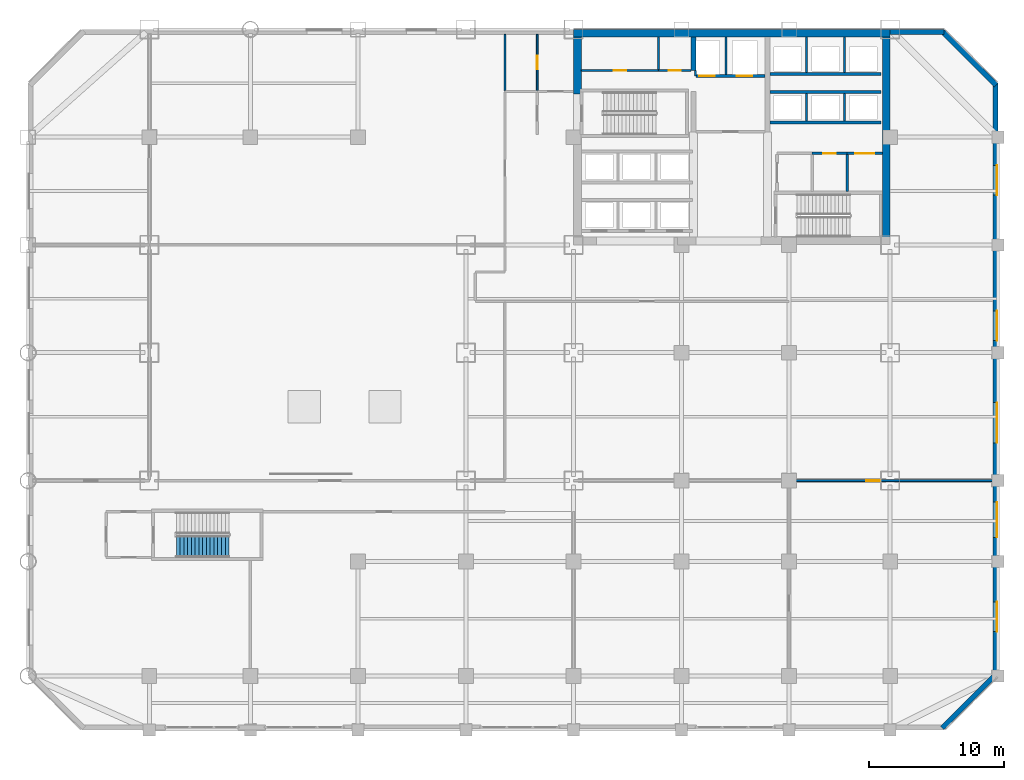
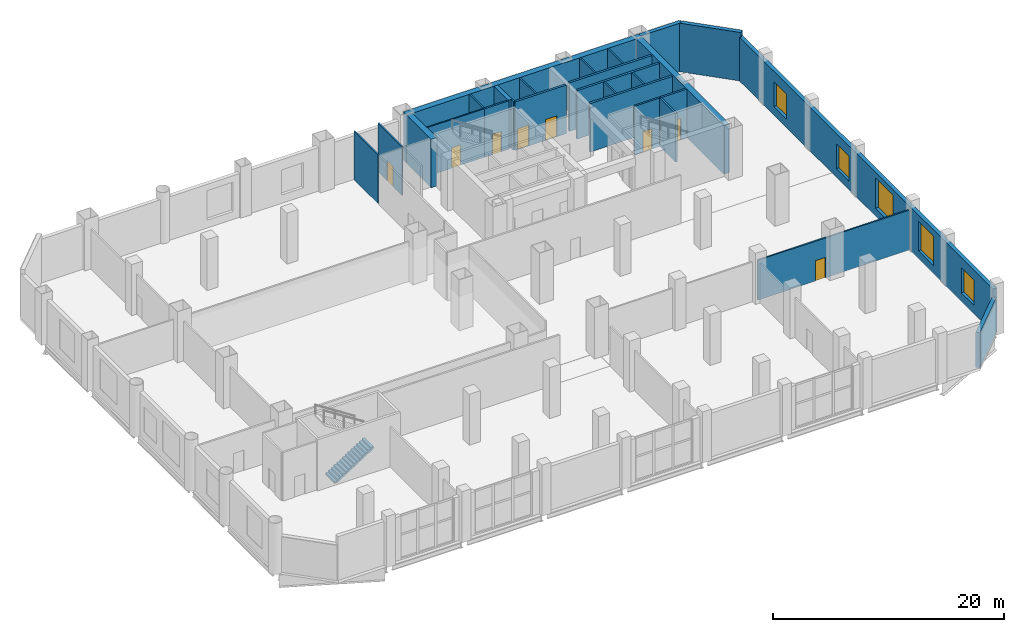
# One storey, part 13 of 18: 27 walls, 8 doors, 5 windows, 1 stair flight, 13 openings, 1 element without a shape of its own.
"""IFC4 building model written with IfcOpenShell, lengths in metres."""

from ifc_helpers import new_model, si_unit, direction, frame, frame_2d, origin, place, context, subcontext, project, spatial, polyline, rectangle, outline, extrude, material, layer, layer_set, type_object, element, fill, aggregate, save


model = new_model("IFC4")

# Units and contexts
model_context = context("Model", 3, precision=1e-05, world=origin(), true_north=direction((0.0, 1.0)))
body_context = subcontext(model_context, "Body", "Model", "MODEL_VIEW")
ifc_project = project(units=[si_unit("LENGTHUNIT", "METRE"), si_unit("AREAUNIT", "SQUARE_METRE"), si_unit("VOLUMEUNIT", "CUBIC_METRE"), si_unit("PLANEANGLEUNIT", "RADIAN"), si_unit("MASSUNIT", "GRAM", prefix="KILO")], contexts=[model_context])

# Site, building, storey
site_placement = place(None, origin())
site = spatial("IfcSite", under=ifc_project, at=site_placement, CompositionType="ELEMENT")
building_placement = place(site_placement, origin())
building = spatial("IfcBuilding", under=site, at=building_placement, Name="Qianrong Seaharbour Tower", CompositionType="ELEMENT")
storey_placement = place(building_placement, frame((0.0, 0.0, 6.0)))
storey = spatial("IfcBuildingStorey", under=building, at=storey_placement, Name="L02", CompositionType="ELEMENT", Elevation=6.0)

# Walls
ifc_material_1 = material(Name="Concrete C70/85", Category="concrete")
ifc_layer_1 = layer(ifc_material_1, 0.580078125)
ifc_layer_set_1 = layer_set([ifc_layer_1], Name="Concrete C70/85")
wall_type_1 = type_object("IfcWallType", Name="WALL-CORE-580", PredefinedType="SHEAR", material=ifc_layer_set_1)
wall_1_placement = place(storey_placement, frame((40.5, 51.7099609375, 0.0), z_axis=(0.0, 0.0, 1.0), x_axis=(1.0, 0.0, 0.0)))
element("IfcWall", 1, at=wall_1_placement, inside=storey, type_object=wall_type_1, Name="L02 North Core Shear Wall", PredefinedType="SHEAR", context=body_context, shape_type="SweptSolid", body=[
    extrude(rectangle(XDim=23.5, YDim=0.580078125, at=frame_2d((11.75, 0.0))), origin(), (0.0, 0.0, 1.0), 5.1201171875),
])
wall_2_placement = place(storey_placement, frame((63.7099609375, 36.320068359375, 0.0), z_axis=(0.0, 0.0, 1.0), x_axis=(0.0, 1.0, 0.0)))
element("IfcWall", 2, at=wall_2_placement, inside=storey, type_object=wall_type_1, Name="L02 East Core Shear Wall", PredefinedType="SHEAR", context=body_context, shape_type="SweptSolid", body=[
    extrude(rectangle(XDim=15.099853515625, YDim=0.580078125, at=frame_2d((7.5498046875, 0.0))), origin(), (0.0, 0.0, 1.0), 5.1201171875),
])
wall_3_placement = place(storey_placement, frame((40.7900390625, 47.199951171875, 0.0), z_axis=(0.0, 0.0, 1.0), x_axis=(0.0, 1.0, 0.0)))
element("IfcWall", 3, at=wall_3_placement, inside=storey, type_object=wall_type_1, Name="L02 West Core Shear Wall North", PredefinedType="SHEAR", context=body_context, shape_type="SweptSolid", body=[
    extrude(rectangle(XDim=4.219970703125, YDim=0.580078125, at=frame_2d((2.10986328125, 0.0))), origin(), (0.0, 0.0, 1.0), 5.1201171875),
])
ifc_material_2 = material(Name="Concrete C60/75", Category="concrete")
ifc_layer_2 = layer(ifc_material_2, 0.3798828125)
ifc_layer_set_2 = layer_set([ifc_layer_2], Name="Concrete C60/75")
wall_type_2 = type_object("IfcWallType", Name="WALL-CORE-INT-380", PredefinedType="SHEAR", material=ifc_layer_set_2)
wall_4_placement = place(storey_placement, frame((49.39990234375, 48.949951171875, 0.0), z_axis=(0.0, 0.0, 1.0), x_axis=(0.0, 1.0, 0.0)))
element("IfcWall", 4, at=wall_4_placement, inside=storey, type_object=wall_type_2, Name="L02 Internal Core Shear Wall IW1N2", PredefinedType="SHEAR", context=body_context, shape_type="SweptSolid", body=[
    extrude(rectangle(XDim=2.469970703125, YDim=0.3798828125, at=frame_2d((1.23486328125, 0.0))), origin(), (0.0, 0.0, 1.0), 5.1201171875),
])

# Wall, opening, door
ifc_material_3 = material(Name="Fire-rated acoustic gypsum board partition")
ifc_layer_3 = layer(ifc_material_3, 0.1650390625)
ifc_layer_set_3 = layer_set([ifc_layer_3], Name="Fire-rated acoustic gypsum board partition")
wall_type_3 = type_object("IfcWallType", Name="WALL-CORR-PART-165", PredefinedType="PARTITIONING", material=ifc_layer_set_3)
wall_5_placement = place(storey_placement, frame((46.800048828125, 48.949951171875, 0.0), z_axis=(0.0, 0.0, 1.0), x_axis=(1.0, 0.0, 0.0)))
wall_5 = element("IfcWall", 5, at=wall_5_placement, inside=storey, type_object=wall_type_3, Name="L02 Interior Partition Wall 007", PredefinedType="PARTITIONING", context=body_context, shape_type="SweptSolid", body=[
    extrude(rectangle(XDim=2.41796875, YDim=0.1650390625, at=frame_2d((1.208984375, 0.0))), origin(), (0.0, 0.0, 1.0), 5.1201171875),
])
opening_1_placement = place(wall_5_placement, frame((0.759033203125, 0.0, 0.0)))
opening_1 = element("IfcOpeningElement", 6, at=opening_1_placement, cuts=wall_5, Name="Opening DS-01", PredefinedType="OPENING", context=body_context, shape_type="SweptSolid", body=[
    extrude(rectangle(XDim=0.89990234375, YDim=2.14990234375, at=frame_2d((0.449951171875, 1.074951171875))), frame((0.0, 0.092529296875, 0.0), z_axis=(0.0, -1.0, 0.0), x_axis=(1.0, 0.0, 0.0)), (0.0, 0.0, 1.0), 0.18505859375),
])
ifc_material_4 = material(Name="Acoustic timber and galvanized steel fire door assembly", Category="steel")
door_type_1 = type_object("IfcDoorType", Name="DOOR-STORE-900x2150", OperationType="NOTDEFINED", PredefinedType="DOOR", material=ifc_material_4)
door_1_placement = place(opening_1_placement, origin())
door_1 = element("IfcDoor", 7, at=door_1_placement, inside=storey, type_object=door_type_1, Name="L02 Janitor Store Room Door", OperationType="SINGLE_SWING_RIGHT", OverallHeight=2.14990234375, OverallWidth=0.89990234375, PredefinedType="DOOR", context=body_context, shape_type="SweptSolid", body=[
    extrude(rectangle(XDim=0.89990234375, YDim=2.14990234375, at=frame_2d((0.449951171875, 1.074951171875))), frame((0.0, 0.02490234375, 0.0), z_axis=(0.0, -1.0, 0.0), x_axis=(1.0, 0.0, 0.0)), (0.0, 0.0, 1.0), 0.050048828125),
])
fill(opening_1, door_1)

wall_6_placement = place(storey_placement, frame((60.800048828125, 42.800048828125, 0.0), z_axis=(0.0, 0.0, 1.0), x_axis=(-1.0, 0.0, 0.0)))
wall_6 = element("IfcWall", 8, at=wall_6_placement, inside=storey, type_object=wall_type_3, Name="L02 Interior Partition Wall 011", PredefinedType="PARTITIONING", context=body_context, shape_type="SweptSolid", body=[
    extrude(rectangle(XDim=2.60009765625, YDim=0.1650390625, at=frame_2d((1.300048828125, 0.0))), origin(), (0.0, 0.0, 1.0), 5.1201171875),
])
opening_2_placement = place(wall_6_placement, frame((0.85009765625, 0.0, 0.0)))
opening_2 = element("IfcOpeningElement", 9, at=opening_2_placement, cuts=wall_6, Name="Opening DS-01", PredefinedType="OPENING", context=body_context, shape_type="SweptSolid", body=[
    extrude(rectangle(XDim=0.89990234375, YDim=2.14990234375, at=frame_2d((0.449951171875, 1.074951171875))), frame((0.0, 0.092529296875, 0.0), z_axis=(0.0, -1.0, 0.0), x_axis=(1.0, 0.0, 0.0)), (0.0, 0.0, 1.0), 0.18505859375),
])
door_2_placement = place(opening_2_placement, origin())
door_2 = element("IfcDoor", 10, at=door_2_placement, inside=storey, type_object=door_type_1, Name="L02 Supply Store Room Door", OperationType="SINGLE_SWING_LEFT", OverallHeight=2.14990234375, OverallWidth=0.89990234375, PredefinedType="DOOR", context=body_context, shape_type="SweptSolid", body=[
    extrude(rectangle(XDim=0.89990234375, YDim=2.14990234375, at=frame_2d((0.449951171875, 1.074951171875))), frame((0.0, 0.02490234375, 0.0), z_axis=(0.0, -1.0, 0.0), x_axis=(1.0, 0.0, 0.0)), (0.0, 0.0, 1.0), 0.050048828125),
])
fill(opening_2, door_2)

# Walls
ifc_material_5 = material(Name="Natural honed granite dimension stone", Category="masonry")
ifc_layer_4 = layer(ifc_material_5, 0.3798828125)
ifc_layer_set_4 = layer_set([ifc_layer_4], Name="Natural honed granite dimension stone")
wall_type_4 = type_object("IfcWallType", Name="WALL-EXT-GRANITE-380", PredefinedType="SOLIDWALL", material=ifc_layer_set_4)
wall_7_placement = place(storey_placement, frame((63.97998046875, 51.81005859375, 0.0), z_axis=(0.0, 0.0, 1.0), x_axis=(1.0, 0.0, 0.0)))
element("IfcWall", 11, at=wall_7_placement, inside=storey, type_object=wall_type_4, Name="L02 North-East Podium Facade Wall", PredefinedType="SOLIDWALL", context=body_context, shape_type="SweptSolid", body=[
    extrude(rectangle(XDim=4.02001953125, YDim=0.3798828125, at=frame_2d((2.010009765625, 0.0))), origin(), (0.0, 0.0, 1.0), 5.1201171875),
])
wall_8_placement = place(storey_placement, frame((67.86572265625, 51.86572265625, 0.0), z_axis=(0.0, 0.0, 1.0), x_axis=(0.707106781187, -0.707106781187, 0.0)))
element("IfcWall", 12, at=wall_8_placement, inside=storey, type_object=wall_type_4, Name="L02 Exterior Masonry Facade Wall E03", PredefinedType="SOLIDWALL", context=body_context, shape_type="SweptSolid", body=[
    extrude(rectangle(XDim=5.65673828125, YDim=0.3798828125, at=frame_2d((2.828369140625, 0.0))), origin(), (0.0, 0.0, 1.0), 5.1201171875),
])

# Wall, openings, windows
wall_9_placement = place(storey_placement, frame((71.81005859375, 48.0, 0.0), z_axis=(0.0, 0.0, 1.0), x_axis=(0.0, -1.0, 0.0)))
wall_9 = element("IfcWall", 13, at=wall_9_placement, inside=storey, type_object=wall_type_4, Name="L02 Exterior Masonry Facade Wall EAST_WING", PredefinedType="SOLIDWALL", context=body_context, shape_type="SweptSolid", body=[
    extrude(rectangle(XDim=44.0, YDim=0.3798828125, at=frame_2d((22.0, 0.0))), origin(), (0.0, 0.0, 1.0), 4.6201171875),
])
opening_3_placement = place(wall_9_placement, frame((6.10009765625, 0.0, 0.89990234375)))
opening_3 = element("IfcOpeningElement", 14, at=opening_3_placement, cuts=wall_9, Name="Opening WN-10", PredefinedType="OPENING", context=body_context, shape_type="SweptSolid", body=[
    extrude(rectangle(XDim=2.199951171875, YDim=2.64990234375, at=frame_2d((1.10009765625, 1.324951171875))), frame((0.0, 0.199951171875, 0.0), z_axis=(0.0, -1.0, 0.0), x_axis=(1.0, 0.0, 0.0)), (0.0, 0.0, 1.0), 0.39990234375),
])
opening_4_placement = place(wall_9_placement, frame((16.89990234375, 0.0, 0.89990234375)))
opening_4 = element("IfcOpeningElement", 15, at=opening_4_placement, cuts=wall_9, Name="Opening WN-10", PredefinedType="OPENING", context=body_context, shape_type="SweptSolid", body=[
    extrude(rectangle(XDim=2.199951171875, YDim=2.64990234375, at=frame_2d((1.10009765625, 1.324951171875))), frame((0.0, 0.199951171875, 0.0), z_axis=(0.0, -1.0, 0.0), x_axis=(1.0, 0.0, 0.0)), (0.0, 0.0, 1.0), 0.39990234375),
])
opening_5_placement = place(wall_9_placement, frame((23.699951171875, 0.0, 0.85009765625)))
opening_5 = element("IfcOpeningElement", 16, at=opening_5_placement, cuts=wall_9, Name="Opening WN-12", PredefinedType="OPENING", context=body_context, shape_type="SweptSolid", body=[
    extrude(rectangle(XDim=3.0, YDim=3.199951171875, at=frame_2d((1.5, 1.60009765625))), frame((0.0, 0.199951171875, 0.0), z_axis=(0.0, -1.0, 0.0), x_axis=(1.0, 0.0, 0.0)), (0.0, 0.0, 1.0), 0.39990234375),
])
opening_6_placement = place(wall_9_placement, frame((31.10009765625, 0.0, 0.85009765625)))
opening_6 = element("IfcOpeningElement", 17, at=opening_6_placement, cuts=wall_9, Name="Opening WN-11", PredefinedType="OPENING", context=body_context, shape_type="SweptSolid", body=[
    extrude(rectangle(XDim=2.60009765625, YDim=3.10009765625, at=frame_2d((1.300048828125, 1.550048828125))), frame((0.0, 0.199951171875, 0.0), z_axis=(0.0, -1.0, 0.0), x_axis=(1.0, 0.0, 0.0)), (0.0, 0.0, 1.0), 0.39990234375),
])
opening_7_placement = place(wall_9_placement, frame((38.5, 0.0, 0.89990234375)))
opening_7 = element("IfcOpeningElement", 18, at=opening_7_placement, cuts=wall_9, Name="Opening WN-10", PredefinedType="OPENING", context=body_context, shape_type="SweptSolid", body=[
    extrude(rectangle(XDim=2.199951171875, YDim=2.64990234375, at=frame_2d((1.10009765625, 1.324951171875))), frame((0.0, 0.199951171875, 0.0), z_axis=(0.0, -1.0, 0.0), x_axis=(1.0, 0.0, 0.0)), (0.0, 0.0, 1.0), 0.39990234375),
])
ifc_material_6 = material(Name="Insulated low-e double glazing in thermally broken aluminium 6063-T6 frame", Category="aluminium")
window_type_1 = type_object("IfcWindowType", Name="WIN-POD-2600x3100", PartitioningType="TRIPLE_PANEL_VERTICAL", PredefinedType="WINDOW", material=ifc_material_6)
window_1_placement = place(opening_6_placement, origin())
window_1 = element("IfcWindow", 19, at=window_1_placement, inside=storey, type_object=window_type_1, Name="L02 Deep-Set Punched Window 04.09", OverallHeight=3.10009765625, OverallWidth=2.60009765625, PartitioningType="TRIPLE_PANEL_VERTICAL", PredefinedType="WINDOW", context=body_context, shape_type="SweptSolid", body=[
    extrude(rectangle(XDim=2.60009765625, YDim=3.10009765625, at=frame_2d((1.300048828125, 1.550048828125))), frame((0.0, 0.150146484375, 0.0), z_axis=(0.0, -1.0, 0.0), x_axis=(1.0, 0.0, 0.0)), (0.0, 0.0, 1.0), 0.06005859375),
])
fill(opening_6, window_1)
window_type_2 = type_object("IfcWindowType", Name="WIN-POD-3000x3200", PartitioningType="TRIPLE_PANEL_VERTICAL", PredefinedType="WINDOW", material=ifc_material_6)
window_2_placement = place(opening_5_placement, origin())
window_2 = element("IfcWindow", 20, at=window_2_placement, inside=storey, type_object=window_type_2, Name="L02 Deep-Set Punched Window 04.07", OverallHeight=3.199951171875, OverallWidth=3.0, PartitioningType="TRIPLE_PANEL_VERTICAL", PredefinedType="WINDOW", context=body_context, shape_type="SweptSolid", body=[
    extrude(rectangle(XDim=3.0, YDim=3.199951171875, at=frame_2d((1.5, 1.60009765625))), frame((0.0, 0.150146484375, 0.0), z_axis=(0.0, -1.0, 0.0), x_axis=(1.0, 0.0, 0.0)), (0.0, 0.0, 1.0), 0.06005859375),
])
fill(opening_5, window_2)
window_type_3 = type_object("IfcWindowType", Name="WIN-PUNCH-2200x2650", PartitioningType="TRIPLE_PANEL_VERTICAL", PredefinedType="WINDOW", material=ifc_material_6)
window_3_placement = place(opening_3_placement, origin())
window_3 = element("IfcWindow", 21, at=window_3_placement, inside=storey, type_object=window_type_3, Name="L02 Deep-Set Punched Window 04.02", OverallHeight=2.64990234375, OverallWidth=2.199951171875, PartitioningType="TRIPLE_PANEL_VERTICAL", PredefinedType="WINDOW", context=body_context, shape_type="SweptSolid", body=[
    extrude(rectangle(XDim=2.199951171875, YDim=2.64990234375, at=frame_2d((1.10009765625, 1.324951171875))), frame((0.0, 0.150146484375, 0.0), z_axis=(0.0, -1.0, 0.0), x_axis=(1.0, 0.0, 0.0)), (0.0, 0.0, 1.0), 0.06005859375),
])
fill(opening_3, window_3)
window_4_placement = place(opening_4_placement, origin())
window_4 = element("IfcWindow", 22, at=window_4_placement, inside=storey, type_object=window_type_3, Name="L02 Deep-Set Punched Window 04.05", OverallHeight=2.64990234375, OverallWidth=2.199951171875, PartitioningType="TRIPLE_PANEL_VERTICAL", PredefinedType="WINDOW", context=body_context, shape_type="SweptSolid", body=[
    extrude(rectangle(XDim=2.199951171875, YDim=2.64990234375, at=frame_2d((1.10009765625, 1.324951171875))), frame((0.0, 0.150146484375, 0.0), z_axis=(0.0, -1.0, 0.0), x_axis=(1.0, 0.0, 0.0)), (0.0, 0.0, 1.0), 0.06005859375),
])
fill(opening_4, window_4)
window_5_placement = place(opening_7_placement, origin())
window_5 = element("IfcWindow", 23, at=window_5_placement, inside=storey, type_object=window_type_3, Name="L02 Deep-Set Punched Window 04.11", OverallHeight=2.64990234375, OverallWidth=2.199951171875, PartitioningType="TRIPLE_PANEL_VERTICAL", PredefinedType="WINDOW", context=body_context, shape_type="SweptSolid", body=[
    extrude(rectangle(XDim=2.199951171875, YDim=2.64990234375, at=frame_2d((1.10009765625, 1.324951171875))), frame((0.0, 0.150146484375, 0.0), z_axis=(0.0, -1.0, 0.0), x_axis=(1.0, 0.0, 0.0)), (0.0, 0.0, 1.0), 0.06005859375),
])
fill(opening_7, window_5)

# Wall
wall_10_placement = place(storey_placement, frame((71.86572265625, 4.13427734375, 0.0), z_axis=(0.0, 0.0, 1.0), x_axis=(-0.707106781187, -0.707106781187, 0.0)))
element("IfcWall", 24, at=wall_10_placement, inside=storey, type_object=wall_type_4, Name="L02 Exterior Masonry Facade Wall E05", PredefinedType="SOLIDWALL", context=body_context, shape_type="SweptSolid", body=[
    extrude(rectangle(XDim=5.65673828125, YDim=0.3798828125, at=frame_2d((2.828369140625, 0.0))), origin(), (0.0, 0.0, 1.0), 3.719970703125),
])

# Wall, opening, door
ifc_material_7 = material(Name="Double fire-rated gypsum board acoustic partition")
ifc_layer_5 = layer(ifc_material_7, 0.18994140625)
ifc_layer_set_5 = layer_set([ifc_layer_5], Name="Double fire-rated gypsum board acoustic partition")
wall_type_5 = type_object("IfcWallType", Name="WALL-FIRE-PART-190", PredefinedType="PARTITIONING", material=ifc_layer_set_5)
wall_11_placement = place(storey_placement, frame((63.419921875, 42.800048828125, 0.0), z_axis=(0.0, 0.0, 1.0), x_axis=(-1.0, 0.0, 0.0)))
wall_11 = element("IfcWall", 25, at=wall_11_placement, inside=storey, type_object=wall_type_5, Name="L02 Interior Partition Wall 012", PredefinedType="PARTITIONING", context=body_context, shape_type="SweptSolid", body=[
    extrude(rectangle(XDim=2.619873046875, YDim=0.18994140625, at=frame_2d((1.31005859375, 0.0))), origin(), (0.0, 0.0, 1.0), 5.1201171875),
])
opening_8_placement = place(wall_11_placement, frame((0.610107421875, 0.0, 0.0)))
opening_8 = element("IfcOpeningElement", 26, at=opening_8_placement, cuts=wall_11, Name="Opening DP-01", PredefinedType="OPENING", context=body_context, shape_type="SweptSolid", body=[
    extrude(rectangle(XDim=1.39990234375, YDim=2.25, at=frame_2d((0.699951171875, 1.125))), frame((0.0, 0.10498046875, 0.0), z_axis=(0.0, -1.0, 0.0), x_axis=(1.0, 0.0, 0.0)), (0.0, 0.0, 1.0), 0.2099609375),
])
door_type_2 = type_object("IfcDoorType", Name="DOOR-PLANT-PAIR-1400x2250", OperationType="DOUBLE_DOOR_SINGLE_SWING", PredefinedType="DOOR", material=ifc_material_4)
door_3_placement = place(opening_8_placement, origin())
door_3 = element("IfcDoor", 27, at=door_3_placement, inside=storey, type_object=door_type_2, Name="L02 Building Metering Room Door", OperationType="DOUBLE_DOOR_SINGLE_SWING", OverallHeight=2.25, OverallWidth=1.39990234375, PredefinedType="DOOR", context=body_context, shape_type="SweptSolid", body=[
    extrude(rectangle(XDim=1.39990234375, YDim=2.25, at=frame_2d((0.699951171875, 1.125))), frame((0.0, 0.02490234375, 0.0), z_axis=(0.0, -1.0, 0.0), x_axis=(1.0, 0.0, 0.0)), (0.0, 0.0, 1.0), 0.050048828125),
])
fill(opening_8, door_3)

# Wall
wall_12_placement = place(storey_placement, frame((60.800048828125, 42.712890625, 0.0), z_axis=(0.0, 0.0, 1.0), x_axis=(0.0, -1.0, 0.0)))
element("IfcWall", 28, at=wall_12_placement, inside=storey, type_object=wall_type_5, Name="L02 Interior Partition Wall 015", PredefinedType="PARTITIONING", context=body_context, shape_type="SweptSolid", body=[
    extrude(rectangle(XDim=2.73095703125, YDim=0.18994140625, at=frame_2d((1.365478515625, 0.0))), origin(), (0.0, 0.0, 1.0), 5.1201171875),
])

# Wall, opening, door
ifc_material_8 = material(Name="Acoustic gypsum board stud partition")
ifc_layer_6 = layer(ifc_material_8, 0.14501953125)
ifc_layer_set_6 = layer_set([ifc_layer_6], Name="Acoustic gypsum board stud partition")
wall_type_6 = type_object("IfcWallType", Name="WALL-OFFICE-PART-145", PredefinedType="PARTITIONING", material=ifc_layer_set_6)
wall_13_placement = place(storey_placement, frame((71.6279296875, 18.5, 0.0), z_axis=(0.0, 0.0, 1.0), x_axis=(-1.0, 0.0, 0.0)))
wall_13 = element("IfcWall", 29, at=wall_13_placement, inside=storey, type_object=wall_type_6, Name="L02 Interior Partition Wall 034", PredefinedType="PARTITIONING", context=body_context, shape_type="SweptSolid", body=[
    extrude(rectangle(XDim=15.1279296875, YDim=0.14501953125, at=frame_2d((7.56396484375, 0.0))), origin(), (0.0, 0.0, 1.0), 4.2119140625),
])
opening_9_placement = place(wall_13_placement, frame((8.4140625, 0.0, 0.0)))
opening_9 = element("IfcOpeningElement", 30, at=opening_9_placement, cuts=wall_13, Name="Opening DO-01", PredefinedType="OPENING", context=body_context, shape_type="SweptSolid", body=[
    extrude(rectangle(XDim=1.0, YDim=2.14990234375, at=frame_2d((0.5, 1.074951171875))), frame((0.0, 0.08251953125, 0.0), z_axis=(0.0, -1.0, 0.0), x_axis=(1.0, 0.0, 0.0)), (0.0, 0.0, 1.0), 0.1650390625),
])
door_type_3 = type_object("IfcDoorType", Name="DOOR-OFFICE-1000x2150", OperationType="NOTDEFINED", PredefinedType="DOOR", material=ifc_material_4)
door_4_placement = place(opening_9_placement, origin())
door_4 = element("IfcDoor", 31, at=door_4_placement, inside=storey, type_object=door_type_3, Name="L02 Visitor Business Office Door", OperationType="SINGLE_SWING_LEFT", OverallHeight=2.14990234375, OverallWidth=1.0, PredefinedType="DOOR", context=body_context, shape_type="SweptSolid", body=[
    extrude(rectangle(XDim=1.0, YDim=2.14990234375, at=frame_2d((0.5, 1.074951171875))), frame((0.0, 0.02490234375, 0.0), z_axis=(0.0, -1.0, 0.0), x_axis=(1.0, 0.0, 0.0)), (0.0, 0.0, 1.0), 0.050048828125),
])
fill(opening_9, door_4)

# Walls
ifc_material_9 = material(Name="Fire-rated gypsum board on steel studs", Category="steel")
ifc_layer_7 = layer(ifc_material_9, 0.14990234375)
ifc_layer_set_7 = layer_set([ifc_layer_7], Name="Fire-rated gypsum board on steel studs")
wall_type_7 = type_object("IfcWallType", Name="WALL-SHAFT-DIV-150", PredefinedType="PARTITIONING", material=ifc_layer_set_7)
wall_14_placement = place(storey_placement, frame((51.800048828125, 48.669921875, 0.0), z_axis=(0.0, 0.0, 1.0), x_axis=(0.0, 1.0, 0.0)))
element("IfcWall", 32, at=wall_14_placement, inside=storey, type_object=wall_type_7, Name="L02 Firefighting Lift Shaft Divider Wall", PredefinedType="PARTITIONING", context=body_context, shape_type="SweptSolid", body=[
    extrude(rectangle(XDim=2.75, YDim=0.14990234375, at=frame_2d((1.375, 0.0))), origin(), (0.0, 0.0, 1.0), 5.1201171875),
])
wall_15_placement = place(storey_placement, frame((49.550048828125, 48.550048828125, 0.0), z_axis=(0.0, 0.0, 1.0), x_axis=(0.0, 1.0, 0.0)))
element("IfcWall", 33, at=wall_15_placement, inside=storey, type_object=wall_type_7, Name="L02 Firefighting Lift Shaft West Return Wall", PredefinedType="PARTITIONING", context=body_context, shape_type="SweptSolid", body=[
    extrude(rectangle(XDim=0.39990234375, YDim=0.14990234375, at=frame_2d((0.199951171875, 0.0))), origin(), (0.0, 0.0, 1.0), 5.1201171875),
])
for number, where, z_axis, x_axis, name in (
    (34, (57.800048828125, 45.2099609375, 0.0), (0.0, 0.0, 1.0), (0.0, 1.0, 0.0), "L02 P3 Lift Hoistway Divider 2"),
    (35, (60.60009765625, 45.2099609375, 0.0), (0.0, 0.0, 1.0), (0.0, 1.0, 0.0), "L02 P3 Lift Hoistway Divider 3"),
):
    element("IfcWall", number, at=place(storey_placement, frame(where, z_axis=z_axis, x_axis=x_axis)), inside=storey, type_object=wall_type_7, Name=name, PredefinedType="PARTITIONING", context=body_context, shape_type="SweptSolid", body=[
        extrude(rectangle(XDim=2.030029296875, YDim=0.14990234375, at=frame_2d((1.01513671875, 0.0))), origin(), (0.0, 0.0, 1.0), 5.1201171875),
    ])
for number, where, z_axis, x_axis, name in (
    (36, (57.800048828125, 48.81005859375, 0.0), (0.0, 0.0, 1.0), (0.0, 1.0, 0.0), "L02 P4 Lift Hoistway Divider 2"),
    (37, (60.60009765625, 48.81005859375, 0.0), (0.0, 0.0, 1.0), (0.0, 1.0, 0.0), "L02 P4 Lift Hoistway Divider 3"),
):
    element("IfcWall", number, at=place(storey_placement, frame(where, z_axis=z_axis, x_axis=x_axis)), inside=storey, type_object=wall_type_7, Name=name, PredefinedType="PARTITIONING", context=body_context, shape_type="SweptSolid", body=[
        extrude(rectangle(XDim=2.60986328125, YDim=0.14990234375, at=frame_2d((1.304931640625, 0.0))), origin(), (0.0, 0.0, 1.0), 5.1201171875),
    ])

# Wall, openings, doors
ifc_layer_8 = layer(ifc_material_9, 0.219970703125)
ifc_layer_set_8 = layer_set([ifc_layer_8], Name="Fire-rated gypsum board on steel studs")
wall_type_8 = type_object("IfcWallType", Name="WALL-SHAFT-GYP220", PredefinedType="PARTITIONING", material=ifc_layer_set_8)
wall_16_placement = place(storey_placement, frame((54.7099609375, 48.550048828125, 0.0), z_axis=(0.0, 0.0, 1.0), x_axis=(-1.0, 0.0, 0.0)))
wall_16 = element("IfcWall", 38, at=wall_16_placement, inside=storey, type_object=wall_type_8, Name="L02 Firefighting Lift Shaft Front Wall", PredefinedType="PARTITIONING", context=body_context, shape_type="SweptSolid", body=[
    extrude(rectangle(XDim=5.119873046875, YDim=0.219970703125, at=frame_2d((2.56005859375, 0.0))), origin(), (0.0, 0.0, 1.0), 5.1201171875),
])
opening_10_placement = place(wall_16_placement, frame((3.735107421875, 0.0, 0.0)))
opening_10 = element("IfcOpeningElement", 39, at=opening_10_placement, cuts=wall_16, Name="Opening LD-01", PredefinedType="OPENING", context=body_context, shape_type="SweptSolid", body=[
    extrude(rectangle(XDim=1.14990234375, YDim=2.199951171875, at=frame_2d((0.574951171875, 1.10009765625))), frame((0.0, 0.1201171875, 0.0), z_axis=(0.0, -1.0, 0.0), x_axis=(1.0, 0.0, 0.0)), (0.0, 0.0, 1.0), 0.239990234375),
])
opening_11_placement = place(wall_16_placement, frame((0.93505859375, 0.0, 0.0)))
opening_11 = element("IfcOpeningElement", 40, at=opening_11_placement, cuts=wall_16, Name="Opening LD-01", PredefinedType="OPENING", context=body_context, shape_type="SweptSolid", body=[
    extrude(rectangle(XDim=1.14990234375, YDim=2.199951171875, at=frame_2d((0.574951171875, 1.10009765625))), frame((0.0, 0.1201171875, 0.0), z_axis=(0.0, -1.0, 0.0), x_axis=(1.0, 0.0, 0.0)), (0.0, 0.0, 1.0), 0.239990234375),
])
ifc_material_10 = material(Name="Stainless steel SUS316L bi-parting lift landing door", Category="steel")
door_type_4 = type_object("IfcDoorType", Name="DOOR-LIFT-FF-1150x2200", OperationType="DOUBLE_DOOR_SLIDING", PredefinedType="DOOR", material=ifc_material_10)
door_5_placement = place(opening_10_placement, origin())
door_5 = element("IfcDoor", 41, at=door_5_placement, inside=storey, type_object=door_type_4, Name="L02 FL-1 Firefighting Lift Landing Door", OperationType="DOUBLE_DOOR_SLIDING", OverallHeight=2.199951171875, OverallWidth=1.14990234375, PredefinedType="DOOR", context=body_context, shape_type="SweptSolid", body=[
    extrude(rectangle(XDim=1.14990234375, YDim=2.199951171875, at=frame_2d((0.574951171875, 1.10009765625))), frame((0.0, 0.02490234375, 0.0), z_axis=(0.0, -1.0, 0.0), x_axis=(1.0, 0.0, 0.0)), (0.0, 0.0, 1.0), 0.050048828125),
])
fill(opening_10, door_5)
door_6_placement = place(opening_11_placement, origin())
door_6 = element("IfcDoor", 42, at=door_6_placement, inside=storey, type_object=door_type_4, Name="L02 FL-2 Firefighting Lift Landing Door", OperationType="DOUBLE_DOOR_SLIDING", OverallHeight=2.199951171875, OverallWidth=1.14990234375, PredefinedType="DOOR", context=body_context, shape_type="SweptSolid", body=[
    extrude(rectangle(XDim=1.14990234375, YDim=2.199951171875, at=frame_2d((0.574951171875, 1.10009765625))), frame((0.0, 0.02490234375, 0.0), z_axis=(0.0, -1.0, 0.0), x_axis=(1.0, 0.0, 0.0)), (0.0, 0.0, 1.0), 0.050048828125),
])
fill(opening_11, door_6)

# Walls
for number, where, z_axis, x_axis, name in (
    (43, (63.320068359375, 45.10009765625, 0.0), (0.0, 0.0, 1.0), (-1.0, 0.0, 0.0), "L02 P3 Lift Hoistway Front Wall"),
    (44, (55.080078125, 47.35009765625, 0.0), (0.0, 0.0, 1.0), (1.0, 0.0, 0.0), "L02 P3 Lift Hoistway Back Wall"),
    (45, (63.320068359375, 48.699951171875, 0.0), (0.0, 0.0, 1.0), (-1.0, 0.0, 0.0), "L02 P4 Lift Hoistway Front Wall"),
):
    element("IfcWall", number, at=place(storey_placement, frame(where, z_axis=z_axis, x_axis=x_axis)), inside=storey, type_object=wall_type_8, Name=name, PredefinedType="PARTITIONING", context=body_context, shape_type="SweptSolid", body=[
        extrude(rectangle(XDim=8.239990234375, YDim=0.219970703125, at=frame_2d((4.1201171875, 0.0))), origin(), (0.0, 0.0, 1.0), 5.1201171875),
    ])

# Wall, opening, door
ifc_material_11 = material(Name="Water-resistant cement board sanitary partition")
ifc_layer_9 = layer(ifc_material_11, 0.1298828125)
ifc_layer_set_9 = layer_set([ifc_layer_9], Name="Water-resistant cement board sanitary partition")
wall_type_9 = type_object("IfcWallType", Name="WALL-WET-PART-130", PredefinedType="PARTITIONING", material=ifc_layer_set_9)
wall_17_placement = place(storey_placement, frame((37.800048828125, 47.474609375, 0.0), z_axis=(0.0, 0.0, 1.0), x_axis=(0.0, 1.0, 0.0)))
wall_17 = element("IfcWall", 46, at=wall_17_placement, inside=storey, type_object=wall_type_9, Name="L02 Interior Partition Wall 003", PredefinedType="PARTITIONING", context=body_context, shape_type="SweptSolid", body=[
    extrude(rectangle(XDim=4.1533203125, YDim=0.1298828125, at=frame_2d((2.07666015625, 0.0))), origin(), (0.0, 0.0, 1.0), 5.1201171875),
])
opening_12_placement = place(wall_17_placement, frame((1.56689453125, 0.0, 0.0)))
opening_12 = element("IfcOpeningElement", 47, at=opening_12_placement, cuts=wall_17, Name="Opening DAW-01", PredefinedType="OPENING", context=body_context, shape_type="SweptSolid", body=[
    extrude(rectangle(XDim=1.02001953125, YDim=2.14990234375, at=frame_2d((0.510009765625, 1.074951171875))), frame((0.0, 0.074951171875, 0.0), z_axis=(0.0, -1.0, 0.0), x_axis=(1.0, 0.0, 0.0)), (0.0, 0.0, 1.0), 0.14990234375),
])
door_type_5 = type_object("IfcDoorType", Name="DOOR-AWC-SLIDE-1020x2150", OperationType="SLIDING_TO_LEFT", PredefinedType="DOOR", material=ifc_material_4)
door_7_placement = place(opening_12_placement, origin())
door_7 = element("IfcDoor", 48, at=door_7_placement, inside=storey, type_object=door_type_5, Name="L02 Accessible Restroom WC Door", OperationType="SLIDING_TO_LEFT", OverallHeight=2.14990234375, OverallWidth=1.02001953125, PredefinedType="DOOR", context=body_context, shape_type="SweptSolid", body=[
    extrude(rectangle(XDim=1.02001953125, YDim=2.14990234375, at=frame_2d((0.510009765625, 1.074951171875))), frame((0.0, 0.02490234375, 0.0), z_axis=(0.0, -1.0, 0.0), x_axis=(1.0, 0.0, 0.0)), (0.0, 0.0, 1.0), 0.050048828125),
])
fill(opening_12, door_7)

# Wall
wall_18_placement = place(storey_placement, frame((35.39990234375, 47.45703125, 0.0), z_axis=(0.0, 0.0, 1.0), x_axis=(0.0, 1.0, 0.0)))
element("IfcWall", 49, at=wall_18_placement, inside=storey, type_object=wall_type_9, Name="L02 Interior Partition Wall 005", PredefinedType="PARTITIONING", context=body_context, shape_type="SweptSolid", body=[
    extrude(rectangle(XDim=4.1708984375, YDim=0.1298828125, at=frame_2d((2.08544921875, 0.0))), origin(), (0.0, 0.0, 1.0), 5.1201171875),
])

# Wall, opening, door
wall_19_placement = place(storey_placement, frame((41.080078125, 48.949951171875, 0.0), z_axis=(0.0, 0.0, 1.0), x_axis=(1.0, 0.0, 0.0)))
wall_19 = element("IfcWall", 50, at=wall_19_placement, inside=storey, type_object=wall_type_9, Name="L02 Interior Partition Wall 006", PredefinedType="PARTITIONING", context=body_context, shape_type="SweptSolid", body=[
    extrude(rectangle(XDim=5.719970703125, YDim=0.1298828125, at=frame_2d((2.85986328125, 0.0))), origin(), (0.0, 0.0, 1.0), 5.1201171875),
])
opening_13_placement = place(wall_19_placement, frame((2.39990234375, 0.0, 0.0)))
opening_13 = element("IfcOpeningElement", 51, at=opening_13_placement, cuts=wall_19, Name="Opening DW-01", PredefinedType="OPENING", context=body_context, shape_type="SweptSolid", body=[
    extrude(rectangle(XDim=0.919921875, YDim=2.14990234375, at=frame_2d((0.4599609375, 1.074951171875))), frame((0.0, 0.074951171875, 0.0), z_axis=(0.0, -1.0, 0.0), x_axis=(1.0, 0.0, 0.0)), (0.0, 0.0, 1.0), 0.14990234375),
])
door_type_6 = type_object("IfcDoorType", Name="DOOR-WC-920x2150", OperationType="NOTDEFINED", PredefinedType="DOOR", material=ifc_material_4)
door_8_placement = place(opening_13_placement, origin())
door_8 = element("IfcDoor", 52, at=door_8_placement, inside=storey, type_object=door_type_6, Name="L02 Restroom WC Suite Door", OperationType="SINGLE_SWING_LEFT", OverallHeight=2.14990234375, OverallWidth=0.919921875, PredefinedType="DOOR", context=body_context, shape_type="SweptSolid", body=[
    extrude(rectangle(XDim=0.919921875, YDim=2.14990234375, at=frame_2d((0.4599609375, 1.074951171875))), frame((0.0, 0.02490234375, 0.0), z_axis=(0.0, -1.0, 0.0), x_axis=(1.0, 0.0, 0.0)), (0.0, 0.0, 1.0), 0.050048828125),
])
fill(opening_13, door_8)

# Wall
wall_20_placement = place(storey_placement, frame((46.800048828125, 51.419921875, 0.0), z_axis=(0.0, 0.0, 1.0), x_axis=(0.0, -1.0, 0.0)))
element("IfcWall", 53, at=wall_20_placement, inside=storey, type_object=wall_type_9, Name="L02 Interior Partition Wall 013", PredefinedType="PARTITIONING", context=body_context, shape_type="SweptSolid", body=[
    extrude(rectangle(XDim=2.3955078125, YDim=0.1298828125, at=frame_2d((1.19775390625, 0.0))), origin(), (0.0, 0.0, 1.0), 5.1201171875),
])

# Stair, stair flight
ifc_material_12 = material(Name="Concrete C50/60", Category="concrete")
stair_type = type_object("IfcStairType", Name="STAIR-DOGLEG-1600-R30", PredefinedType="HALF_TURN_STAIR", material=ifc_material_12)
stair_placement = place(storey_placement, origin())
stair = element("IfcStair", 54, at=stair_placement, inside=storey, type_object=stair_type, Name="L02 Protected Escape Stair PST-3", PredefinedType="HALF_TURN_STAIR")
stair_flight_type = type_object("IfcStairFlightType", Name="FLIGHT-STR-1600-R30", PredefinedType="STRAIGHT", material=ifc_material_12)
stair_flight_placement = place(storey_placement, frame((11.0, 13.60009765625, 0.0), z_axis=(0.0, 0.0, 1.0), x_axis=(1.0, 0.0, 0.0)))
stair_flight = element("IfcStairFlight", 55, at=stair_flight_placement, type_object=stair_flight_type, Name="PST-3 flight 1", NumberOfRisers=15, NumberOfTreads=14, PredefinedType="STRAIGHT", RiserHeight=0.18, TreadLength=0.28, context=body_context, shape_type="SweptSolid", body=[
    extrude(outline(polyline([(0.0, 0.0), (0.0, 0.179931640625), (0.280029296875, 0.179931640625), (0.280029296875, 0.360107421875), (0.56005859375, 0.360107421875), (0.56005859375, 0.5400390625), (0.840087890625, 0.5400390625), (0.840087890625, 0.719970703125), (1.1201171875, 0.719970703125), (1.1201171875, 0.89990234375), (1.39990234375, 0.89990234375), (1.39990234375, 1.080078125), (1.679931640625, 1.080078125), (1.679931640625, 1.260009765625), (1.9599609375, 1.260009765625), (1.9599609375, 1.43994140625), (2.239990234375, 1.43994140625), (2.239990234375, 1.6201171875), (2.52001953125, 1.6201171875), (2.52001953125, 1.800048828125), (2.800048828125, 1.800048828125), (2.800048828125, 1.97998046875), (3.080078125, 1.97998046875), (3.080078125, 2.159912109375), (3.360107421875, 2.159912109375), (3.360107421875, 2.340087890625), (3.639892578125, 2.340087890625), (3.639892578125, 2.52001953125), (3.919921875, 2.52001953125), (3.919921875, 2.699951171875), (3.919921875, 2.329833984375), (0.295654296875, 0.0), (0.0, 0.0)])), frame((0.0, 0.800048828125, 0.0), z_axis=(0.0, -1.0, 0.0), x_axis=(1.0, 0.0, 0.0)), (0.0, 0.0, 1.0), 1.60009765625),
])
aggregate(stair, [stair_flight])

save(model, "model.ifc")
